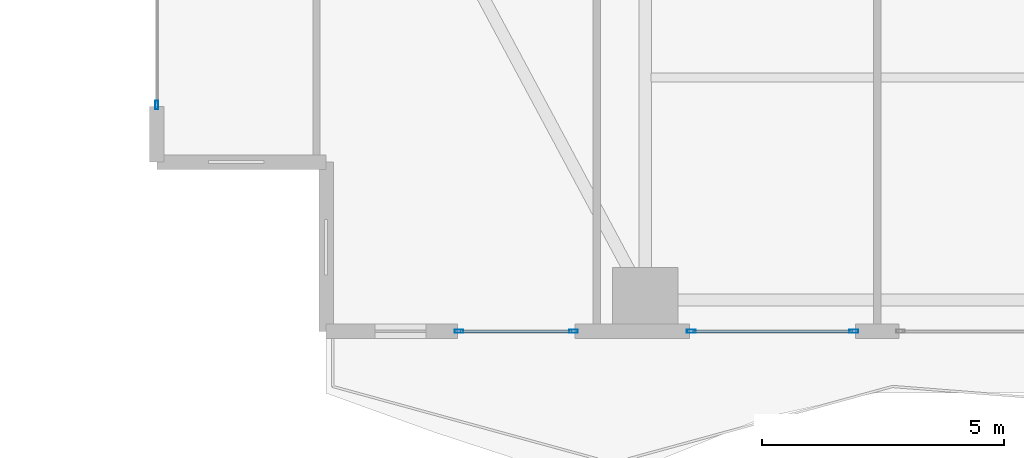
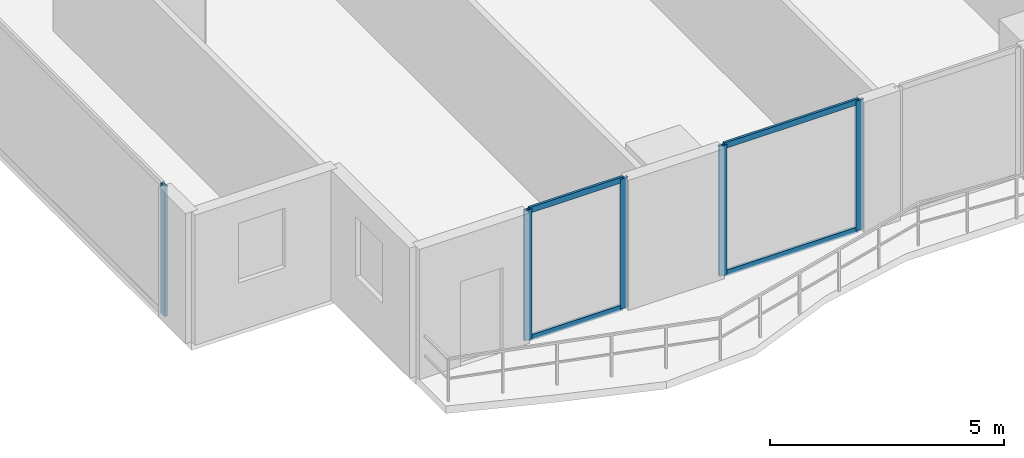
# One storey, part 2 of 29: 9 members, 3 elements without a shape of their own.
"""IFC4 building model written with IfcOpenShell, lengths in metres."""

from ifc_helpers import new_model, si_unit, direction, frame, origin, origin_2d, place, context, subcontext, project, spatial, hollow_rectangle, extrude, material, layer, layer_set, material_profile, profile_set, type_object, element, aggregate, save


model = new_model("IFC4")

# Units and contexts
model_context = context("Model", 3, precision=1e-05, world=origin(), true_north=direction((0.0, 1.0)))
body_context = subcontext(model_context, "Body", "Model", "MODEL_VIEW")
ifc_project = project(units=[si_unit("LENGTHUNIT", "METRE"), si_unit("AREAUNIT", "SQUARE_METRE"), si_unit("VOLUMEUNIT", "CUBIC_METRE"), si_unit("PLANEANGLEUNIT", "RADIAN"), si_unit("MASSUNIT", "GRAM", prefix="KILO")], contexts=[model_context])

# Site, building, storey
site_placement = place(None, origin())
site = spatial("IfcSite", under=ifc_project, at=site_placement, CompositionType="ELEMENT")
building_placement = place(site_placement, origin())
building = spatial("IfcBuilding", under=site, at=building_placement, Name="Zuhayl Quay Hotel", CompositionType="ELEMENT")
storey_placement = place(building_placement, frame((0.0, 0.0, 158.550048828125)))
storey = spatial("IfcBuildingStorey", under=building, at=storey_placement, Name="L40", CompositionType="ELEMENT", Elevation=158.550048828125)

# Curtain wall, member
ifc_material_1 = material(Name="Anodised Aluminium 6063-T6", Category="aluminium")
ifc_layer = layer(ifc_material_1, 0.179931640625, Name="Anodised Aluminium 6063-T6", Category="aluminium")
ifc_layer_set = layer_set([ifc_layer], Name="Anodised Aluminium 6063-T6")
curtain_wall_type = type_object("IfcCurtainWallType", Name="CW_SYS_Z2", PredefinedType="USERDEFINED", material=ifc_layer_set)
curtain_wall_1_placement = place(storey_placement, origin())
curtain_wall_1 = element("IfcCurtainWall", 1, at=curtain_wall_1_placement, inside=storey, type_object=curtain_wall_type, Name="L40 Curtain Wall ENV_L40_E02_CW1", ObjectType="UNITISED CURTAIN WALL", PredefinedType="USERDEFINED")
ifc_material_2 = material(Name="Black-anodised aluminium 6063-T6", Category="aluminium")
ifc_material_profile_1 = material_profile(ifc_material_2, hollow_rectangle(XDim=0.06494140625, YDim=0.179931640625, WallThickness=0.00341796875, at=origin_2d()), Name="ALU180X65")
ifc_profile_set_1 = profile_set([ifc_material_profile_1], Name="Black-anodised aluminium 6063-T6")
member_type_1 = type_object("IfcMemberType", Name="MB_CW_MUL_180", PredefinedType="MULLION", material=ifc_profile_set_1)
member_1_placement = place(storey_placement, frame((-23.89990234375, -10.717529296875, 0.0), z_axis=(0.0, 0.0, 1.0), x_axis=(-1.0, 0.0, 0.0)))
member_1 = element("IfcMember", 2, at=member_1_placement, type_object=member_type_1, Name="CW-Z2 mullion 1", PredefinedType="MULLION", context=body_context, shape_type="SweptSolid", body=[
    extrude(hollow_rectangle(XDim=0.06494140625, YDim=0.179931640625, WallThickness=0.00341796875, at=origin_2d()), origin(), (0.0, 0.0, 1.0), 3.389892578125),
])
aggregate(curtain_wall_1, [member_1])

# Curtain wall, members
curtain_wall_2_placement = place(storey_placement, origin())
curtain_wall_2 = element("IfcCurtainWall", 3, at=curtain_wall_2_placement, inside=storey, type_object=curtain_wall_type, Name="L40 Curtain Wall ENV_L40_S_CW6", ObjectType="UNITISED CURTAIN WALL", PredefinedType="USERDEFINED")
member_2_placement = place(storey_placement, frame((-9.482421875, -15.39990234375, 0.0), z_axis=(0.0, 0.0, 1.0), x_axis=(0.0, -1.0, 0.0)))
member_2 = element("IfcMember", 4, at=member_2_placement, type_object=member_type_1, Name="CW-Z2 mullion 1", PredefinedType="MULLION", context=body_context, shape_type="SweptSolid", body=[
    extrude(hollow_rectangle(XDim=0.06494140625, YDim=0.179931640625, WallThickness=0.00341796875, at=origin_2d()), origin(), (0.0, 0.0, 1.0), 3.389892578125),
])
member_3_placement = place(storey_placement, frame((-12.847412109375, -15.39990234375, 0.0), z_axis=(0.0, 0.0, 1.0), x_axis=(0.0, -1.0, 0.0)))
member_3 = element("IfcMember", 5, at=member_3_placement, type_object=member_type_1, Name="CW-Z2 mullion 2", PredefinedType="MULLION", context=body_context, shape_type="SweptSolid", body=[
    extrude(hollow_rectangle(XDim=0.06494140625, YDim=0.179931640625, WallThickness=0.00341796875, at=origin_2d()), origin(), (0.0, 0.0, 1.0), 3.389892578125),
])

curtain_wall_3_placement = place(storey_placement, origin())
curtain_wall_3 = element("IfcCurtainWall", 6, at=curtain_wall_3_placement, inside=storey, type_object=curtain_wall_type, Name="L40 Curtain Wall ENV_L40_S_CW7", ObjectType="UNITISED CURTAIN WALL", PredefinedType="USERDEFINED")
member_4_placement = place(storey_placement, frame((-15.282470703125, -15.39990234375, 0.0), z_axis=(0.0, 0.0, 1.0), x_axis=(0.0, -1.0, 0.0)))
member_4 = element("IfcMember", 7, at=member_4_placement, type_object=member_type_1, Name="CW-Z2 mullion 1", PredefinedType="MULLION", context=body_context, shape_type="SweptSolid", body=[
    extrude(hollow_rectangle(XDim=0.06494140625, YDim=0.179931640625, WallThickness=0.00341796875, at=origin_2d()), origin(), (0.0, 0.0, 1.0), 3.389892578125),
])
member_5_placement = place(storey_placement, frame((-17.652587890625, -15.39990234375, 0.0), z_axis=(0.0, 0.0, 1.0), x_axis=(0.0, -1.0, 0.0)))
member_5 = element("IfcMember", 8, at=member_5_placement, type_object=member_type_1, Name="CW-Z2 mullion 2", PredefinedType="MULLION", context=body_context, shape_type="SweptSolid", body=[
    extrude(hollow_rectangle(XDim=0.06494140625, YDim=0.179931640625, WallThickness=0.00341796875, at=origin_2d()), origin(), (0.0, 0.0, 1.0), 3.389892578125),
])

# Member
ifc_material_profile_2 = material_profile(ifc_material_2, hollow_rectangle(XDim=0.06005859375, YDim=0.14990234375, WallThickness=0.00341796875, at=origin_2d()), Name="ALU150X60")
ifc_profile_set_2 = profile_set([ifc_material_profile_2], Name="Black-anodised aluminium 6063-T6")
member_type_2 = type_object("IfcMemberType", Name="MB_CW_TRN_150", PredefinedType="USERDEFINED", material=ifc_profile_set_2)
member_6_placement = place(storey_placement, frame((-9.514892578125, -15.39990234375, 0.030029296875), z_axis=(-1.0, 0.0, 0.0), x_axis=(0.0, -1.0, 0.0)))
member_6 = element("IfcMember", 9, at=member_6_placement, type_object=member_type_2, Name="CW-Z2 transom 1.1", ObjectType="TRANSOM", PredefinedType="USERDEFINED", context=body_context, shape_type="SweptSolid", body=[
    extrude(hollow_rectangle(XDim=0.06005859375, YDim=0.14990234375, WallThickness=0.00341796875, at=origin_2d()), origin(), (0.0, 0.0, 1.0), 3.300048828125),
])

member_7_placement = place(storey_placement, frame((-9.514892578125, -15.39990234375, 3.35986328125), z_axis=(-1.0, 0.0, 0.0), x_axis=(0.0, -1.0, 0.0)))
member_7 = element("IfcMember", 10, at=member_7_placement, type_object=member_type_2, Name="CW-Z2 transom 1.2", ObjectType="TRANSOM", PredefinedType="USERDEFINED", context=body_context, shape_type="SweptSolid", body=[
    extrude(hollow_rectangle(XDim=0.06005859375, YDim=0.14990234375, WallThickness=0.00341796875, at=origin_2d()), origin(), (0.0, 0.0, 1.0), 3.300048828125),
])

aggregate(curtain_wall_2, [member_2, member_3, member_6, member_7])

member_8_placement = place(storey_placement, frame((-15.31494140625, -15.39990234375, 0.030029296875), z_axis=(-1.0, 0.0, 0.0), x_axis=(0.0, -1.0, 0.0)))
member_8 = element("IfcMember", 11, at=member_8_placement, type_object=member_type_2, Name="CW-Z2 transom 1.1", ObjectType="TRANSOM", PredefinedType="USERDEFINED", context=body_context, shape_type="SweptSolid", body=[
    extrude(hollow_rectangle(XDim=0.06005859375, YDim=0.14990234375, WallThickness=0.00341796875, at=origin_2d()), origin(), (0.0, 0.0, 1.0), 2.30517578125),
])

member_9_placement = place(storey_placement, frame((-15.31494140625, -15.39990234375, 3.35986328125), z_axis=(-1.0, 0.0, 0.0), x_axis=(0.0, -1.0, 0.0)))
member_9 = element("IfcMember", 12, at=member_9_placement, type_object=member_type_2, Name="CW-Z2 transom 1.2", ObjectType="TRANSOM", PredefinedType="USERDEFINED", context=body_context, shape_type="SweptSolid", body=[
    extrude(hollow_rectangle(XDim=0.06005859375, YDim=0.14990234375, WallThickness=0.00341796875, at=origin_2d()), origin(), (0.0, 0.0, 1.0), 2.30517578125),
])

aggregate(curtain_wall_3, [member_4, member_5, member_8, member_9])

save(model, "model.ifc")
